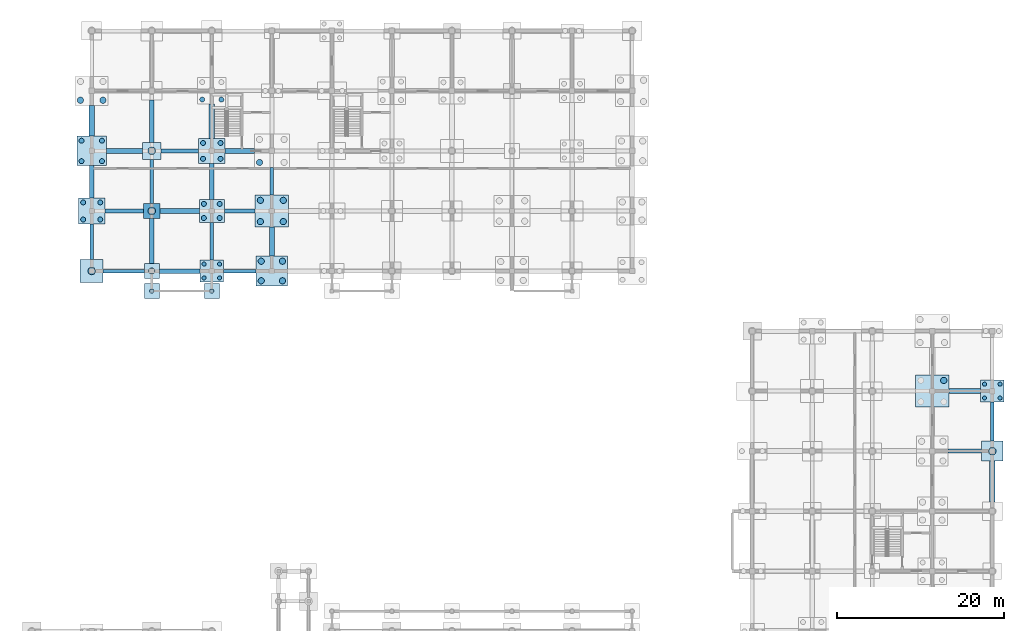
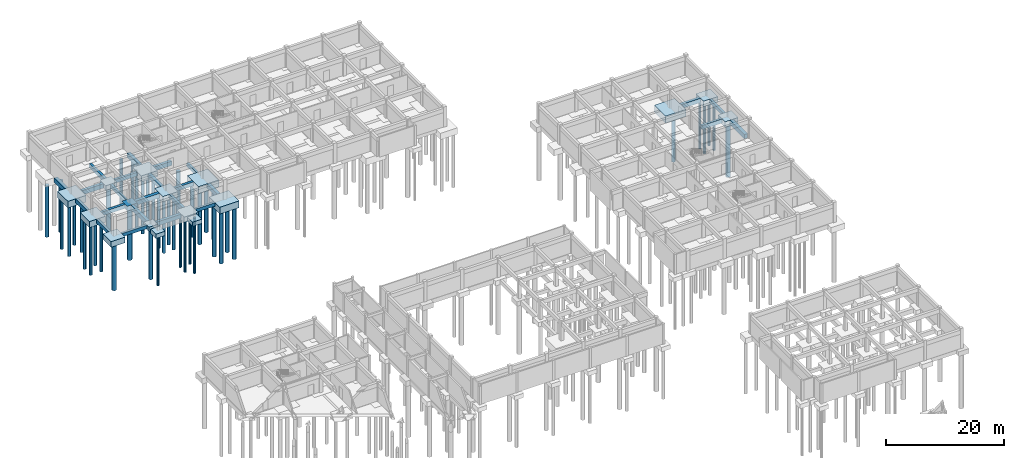
# One storey, part 13 of 38: 45 piles, 40 footings.
"""IFC4 building model written with IfcOpenShell, lengths in metres."""

import ifcopenshell
import ifcopenshell.guid

model = None  # the IFC model being written
_history = None  # IfcOwnerHistory: only IFC2X3 demands one
_inside = {}  # id of a spatial element -> (the spatial element, [elements in it])
_under = {}  # id of a project, library or spatial element -> (it, [spatial elements below it])
_declared = {}  # id of a project -> (the project, [libraries it declares])
_typed = {}  # id of a type object -> (the type object, [elements of that type])
_made_of = {}  # id of a material, layer set ... -> (it, [elements and type objects made of it])


def new_model(schema):
    """Start an empty IFC model of exactly this schema.

    Asked for "IFC4X3", IfcOpenShell would pick the latest addendum, in which some entities
    have other attributes; the version numbers below select the first issue.
    IFC2X3 requires an IfcOwnerHistory on every rooted entity: one is made here for all.
    """
    global model, _history
    if schema == "IFC4X3":
        model = ifcopenshell.file(schema_version=(4, 3, 0, 0))
    else:
        model = ifcopenshell.file(schema=schema)
    _inside.clear()
    _under.clear()
    _declared.clear()
    _typed.clear()
    _made_of.clear()
    _history = None
    if model.schema == "IFC2X3":
        org = make("IfcOrganization", Name="unknown")
        user = make(
            "IfcPersonAndOrganization",
            ThePerson=make("IfcPerson", FamilyName="unknown"),
            TheOrganization=org,
        )
        app = make(
            "IfcApplication",
            ApplicationDeveloper=org,
            Version="unknown",
            ApplicationFullName="unknown",
            ApplicationIdentifier="unknown",
        )
        _history = make(
            "IfcOwnerHistory",
            OwningUser=user,
            OwningApplication=app,
            ChangeAction="ADDED",
            CreationDate=0,
        )
    return model


def make(cls, **values):
    """One entity of the class cls with the attributes given. An attribute that is None is left unset."""
    return model.create_entity(
        cls, **{name: value for name, value in values.items() if value is not None}
    )


def rooted(cls, **values):
    """An entity with a GlobalId (a new one), such as an element, a storey or a relation."""
    return make(cls, GlobalId=ifcopenshell.guid.new(), OwnerHistory=_history, **values)


def si_unit(unit_type, name, prefix=None):
    """IfcSIUnit, for example si_unit("LENGTHUNIT", "METRE", prefix="MILLI")."""
    return make("IfcSIUnit", UnitType=unit_type, Prefix=prefix, Name=name)


def assignment(units):
    """IfcUnitAssignment: the units of a project."""
    return None if units is None else make("IfcUnitAssignment", Units=units)


def point(xyz):
    """IfcCartesianPoint."""
    return None if xyz is None else make("IfcCartesianPoint", Coordinates=xyz)


def direction(xyz):
    """IfcDirection."""
    return None if xyz is None else make("IfcDirection", DirectionRatios=xyz)


def frame(location, z_axis=None, x_axis=None):
    """IfcAxis2Placement3D, a coordinate frame: its origin and axes. An axis left out is left unset."""
    return make(
        "IfcAxis2Placement3D",
        Location=point(location),
        Axis=direction(z_axis),
        RefDirection=direction(x_axis),
    )


def frame_2d(location, x_axis=None):
    """IfcAxis2Placement2D, a coordinate frame in the plane: its origin and x axis."""
    return make(
        "IfcAxis2Placement2D", Location=point(location), RefDirection=direction(x_axis)
    )


def origin():
    """The frame at (0, 0, 0) with its axes left unset."""
    return frame((0.0, 0.0, 0.0))


def origin_2d():
    """The frame at (0, 0) in the plane with its x axis left unset."""
    return frame_2d((0.0, 0.0))


def place(relative_to, where):
    """IfcLocalPlacement: puts the frame where relative to a parent placement (None: the world)."""
    return make(
        "IfcLocalPlacement", PlacementRelTo=relative_to, RelativePlacement=where
    )


def context(
    kind, dimensions, precision=None, world=None, true_north=None, identifier=None
):
    """IfcGeometricRepresentationContext, for example the 3D "Model" context."""
    return make(
        "IfcGeometricRepresentationContext",
        ContextIdentifier=identifier,
        ContextType=kind,
        CoordinateSpaceDimension=dimensions,
        Precision=precision,
        WorldCoordinateSystem=world,
        TrueNorth=true_north,
    )


def subcontext(parent, identifier, kind, view, scale=None):
    """IfcGeometricRepresentationSubContext, for example "Body" below "Model"."""
    return make(
        "IfcGeometricRepresentationSubContext",
        ContextIdentifier=identifier,
        ContextType=kind,
        ParentContext=parent,
        TargetScale=scale,
        TargetView=view,
    )


def project(units=None, contexts=None):
    """IfcProject with its units and contexts."""
    return rooted(
        "IfcProject",
        Name="project",
        RepresentationContexts=contexts,
        UnitsInContext=assignment(units),
    )


def spatial(cls, under=None, at=None, **own):
    """A site, building, storey or space (cls), placed at a placement, below another one or the project."""
    s = rooted(cls, ObjectPlacement=at, **own)
    if under is not None:
        _under.setdefault(under.id(), (under, []))[1].append(s)
    return s


def polyline(points):
    """IfcPolyline through the points."""
    return make("IfcPolyline", Points=[point(p) for p in points])


def profile(cls, at=None, kind="AREA", **sizes):
    """A parametric profile (cls). Its sizes go by their IFC names, for example OverallWidth=200.0."""
    return make(cls, ProfileType=kind, Position=at, **sizes)


def rectangle(**sizes):
    """IfcRectangleProfileDef."""
    return profile("IfcRectangleProfileDef", **sizes)


def circle(**sizes):
    """IfcCircleProfileDef."""
    return profile("IfcCircleProfileDef", **sizes)


def outline(outer, holes=None, kind="AREA"):
    """IfcArbitraryClosedProfileDef: a profile drawn as a closed curve; with holes, ...WithVoids."""
    if holes is None:
        return make("IfcArbitraryClosedProfileDef", ProfileType=kind, OuterCurve=outer)
    return make(
        "IfcArbitraryProfileDefWithVoids",
        ProfileType=kind,
        OuterCurve=outer,
        InnerCurves=holes,
    )


def extrude(swept, where, along, depth):
    """IfcExtrudedAreaSolid: the profile swept, set in the frame where, extruded along a direction by depth."""
    return make(
        "IfcExtrudedAreaSolid",
        SweptArea=swept,
        Position=where,
        ExtrudedDirection=direction(along),
        Depth=depth,
    )


def shape(context_of_items, identifier, shape_type, items):
    """IfcShapeRepresentation: the items that make up one representation, for example the "Body"."""
    return make(
        "IfcShapeRepresentation",
        ContextOfItems=context_of_items,
        RepresentationIdentifier=identifier,
        RepresentationType=shape_type,
        Items=items,
    )


def material(Name=None, Category=None):
    """IfcMaterial."""
    return make("IfcMaterial", Name=Name, Category=Category)


def material_profile(
    of_material, cross_section, Name=None, Category=None, Priority=None
):
    """IfcMaterialProfile: a cross section and its material."""
    return make(
        "IfcMaterialProfile",
        Name=Name,
        Material=of_material,
        Profile=cross_section,
        Priority=Priority,
        Category=Category,
    )


def profile_set(profiles, Name=None, composite=None):
    """IfcMaterialProfileSet."""
    return make(
        "IfcMaterialProfileSet",
        Name=Name,
        MaterialProfiles=profiles,
        CompositeProfile=composite,
    )


def made_of(thing, what):
    """Note that an element or type object is made of a material, layer set ...; save() writes the relation."""
    if what is not None:
        _made_of.setdefault(what.id(), (what, []))[1].append(thing)
    return thing


def type_object(cls, material=None, **own):
    """A type object (cls), such as IfcWallType, which elements share."""
    return made_of(rooted(cls, **own), material)


def element(
    cls,
    number,
    at=None,
    inside=None,
    cuts=None,
    type_object=None,
    material=None,
    context=None,
    identifier="Body",
    shape_type=None,
    held_by="IfcProductDefinitionShape",
    body=None,
    shapes=None,
    **own,
):
    """One element of the class cls, such as IfcWall. Its Tag is "e" and its number.

    at: its placement. inside: the storey or other place that contains it. cuts: it is an
    opening in that element (IfcRelVoidsElement). A single representation is given by context,
    identifier, shape_type and body (its items); several are given by shapes. held_by: the class
    of the entity that holds the representations. save() writes the other relations.
    """
    e = rooted(cls, Tag="e%d" % number, ObjectPlacement=at, **own)
    if body is not None:
        shapes = [shape(context, identifier, shape_type, body)]
    if shapes is not None:
        e.Representation = make(held_by, Representations=shapes)
    if inside is not None:
        _inside.setdefault(inside.id(), (inside, []))[1].append(e)
    if cuts is not None:
        rooted(
            "IfcRelVoidsElement", RelatingBuildingElement=cuts, RelatedOpeningElement=e
        )
    if type_object is not None:
        _typed.setdefault(type_object.id(), (type_object, []))[1].append(e)
    return made_of(e, material)


def aggregate(whole, parts):
    """IfcRelAggregates: a whole, such as a stair, and the parts it consists of."""
    return rooted("IfcRelAggregates", RelatingObject=whole, RelatedObjects=parts)


def save(model, path):
    """Write the relations noted so far, then the file.

    IfcRelAggregates (storeys below a building ...), IfcRelContainedInSpatialStructure (elements
    in a storey), IfcRelDefinesByType, IfcRelAssociatesMaterial and IfcRelDeclares: one each for
    every whole, place, type object, material and project.
    """
    for whole, parts in _under.values():
        aggregate(whole, parts)
    for where, things in _inside.values():
        rooted(
            "IfcRelContainedInSpatialStructure",
            RelatedElements=things,
            RelatingStructure=where,
        )
    for kind, things in _typed.values():
        rooted("IfcRelDefinesByType", RelatedObjects=things, RelatingType=kind)
    for what, things in _made_of.values():
        rooted("IfcRelAssociatesMaterial", RelatedObjects=things, RelatingMaterial=what)
    for by, libraries in _declared.values():
        rooted("IfcRelDeclares", RelatingContext=by, RelatedDefinitions=libraries)
    model.write(path)


model = new_model("IFC4")

# Units and contexts
model_context = context("Model", 3, precision=1e-05, world=origin(), true_north=direction((0.0, 1.0)))
body_context = subcontext(model_context, "Body", "Model", "MODEL_VIEW")
ifc_project = project(units=[si_unit("LENGTHUNIT", "METRE"), si_unit("AREAUNIT", "SQUARE_METRE"), si_unit("VOLUMEUNIT", "CUBIC_METRE"), si_unit("PLANEANGLEUNIT", "RADIAN"), si_unit("MASSUNIT", "GRAM", prefix="KILO"), si_unit("THERMODYNAMICTEMPERATUREUNIT", "KELVIN"), si_unit("POWERUNIT", "WATT")], contexts=[model_context])

# Site, building, storey
site_placement = place(None, origin())
site = spatial("IfcSite", under=ifc_project, at=site_placement, CompositionType="ELEMENT")
building_placement = place(site_placement, origin())
building = spatial("IfcBuilding", under=site, at=building_placement, Name="Tavuni Mirador Residences", CompositionType="ELEMENT")
storey_placement = place(building_placement, frame((0.0, 0.0, -4.199951171875)))
storey = spatial("IfcBuildingStorey", under=building, at=storey_placement, Name="B1", CompositionType="ELEMENT", Elevation=-4.199951171875)

# Footings
ifc_material = material(Name="In-situ concrete C35/45", Category="concrete")
footing_type_1 = type_object("IfcFootingType", Name="FT-GB01", PredefinedType="FOOTING_BEAM", material=ifc_material)
footing_1_placement = place(storey_placement, frame((0.0, 0.0, -0.719970703125)))
element("IfcFooting", 1, at=footing_1_placement, inside=storey, type_object=footing_type_1, Name="GBX-BLK-C-00-00", PredefinedType="FOOTING_BEAM", context=body_context, shape_type="SweptSolid", body=[
    extrude(outline(polyline([(12.175048828125, 143.7900390625), (17.10009765625, 143.7900390625), (17.10009765625, 144.2099609375), (12.175048828125, 144.2099609375), (12.175048828125, 143.7900390625)])), origin(), (0.0, 0.0, 1.0), 0.719970703125),
])
footing_2_placement = place(storey_placement, frame((0.0, 0.0, -0.719970703125)))
element("IfcFooting", 2, at=footing_2_placement, inside=storey, type_object=footing_type_1, Name="GBY-BLK-C-01-01", PredefinedType="FOOTING_BEAM", context=body_context, shape_type="SweptSolid", body=[
    extrude(outline(polyline([(17.7900390625, 152.10009765625), (18.2099609375, 152.10009765625), (18.2099609375, 157.39990234375), (17.7900390625, 157.39990234375), (17.7900390625, 152.10009765625)])), origin(), (0.0, 0.0, 1.0), 0.719970703125),
])
footing_3_placement = place(storey_placement, frame((0.0, 0.0, -0.719970703125)))
element("IfcFooting", 3, at=footing_3_placement, inside=storey, type_object=footing_type_1, Name="GBX-BLK-C-02-00", PredefinedType="FOOTING_BEAM", context=body_context, shape_type="SweptSolid", body=[
    extrude(outline(polyline([(26.60009765625, 143.7900390625), (30.5, 143.7900390625), (30.5, 144.2099609375), (26.60009765625, 144.2099609375), (26.60009765625, 143.7900390625)])), origin(), (0.0, 0.0, 1.0), 0.719970703125),
])
footing_4_placement = place(storey_placement, frame((0.0, 0.0, -0.719970703125)))
element("IfcFooting", 4, at=footing_4_placement, inside=storey, type_object=footing_type_1, Name="GBY-BLK-C-03-01", PredefinedType="FOOTING_BEAM", context=body_context, shape_type="SweptSolid", body=[
    extrude(outline(polyline([(32.18994140625, 153.10009765625), (32.610107421875, 153.10009765625), (32.610107421875, 156.39990234375), (32.18994140625, 156.39990234375), (32.18994140625, 153.10009765625)])), origin(), (0.0, 0.0, 1.0), 0.719970703125),
])
footing_5_placement = place(storey_placement, frame((0.0, 0.0, -0.719970703125)))
element("IfcFooting", 5, at=footing_5_placement, inside=storey, type_object=footing_type_1, Name="GBY-BLK-D-04-05", PredefinedType="FOOTING_BEAM", context=body_context, shape_type="SweptSolid", body=[
    extrude(outline(polyline([(118.590087890625, 123.60009765625), (119.010009765625, 123.60009765625), (119.010009765625, 128.300048828125), (118.590087890625, 128.300048828125), (118.590087890625, 123.60009765625)])), origin(), (0.0, 0.0, 1.0), 0.719970703125),
])
footing_type_2 = type_object("IfcFootingType", Name="FT-GB02", PredefinedType="FOOTING_BEAM", material=ifc_material)
footing_6_placement = place(storey_placement, frame((0.0, 0.0, -0.760009765625)))
element("IfcFooting", 6, at=footing_6_placement, inside=storey, type_object=footing_type_2, Name="GBY-BLK-C-00-00", PredefinedType="FOOTING_BEAM", context=body_context, shape_type="SweptSolid", body=[
    extrude(outline(polyline([(10.570068359375, 145.375), (11.030029296875, 145.375), (11.030029296875, 149.625), (10.570068359375, 149.625), (10.570068359375, 145.375)])), origin(), (0.0, 0.0, 1.0), 0.760009765625),
])
footing_7_placement = place(storey_placement, frame((0.0, 0.0, -0.760009765625)))
element("IfcFooting", 7, at=footing_7_placement, inside=storey, type_object=footing_type_2, Name="GBX-BLK-C-01-02", PredefinedType="FOOTING_BEAM", context=body_context, shape_type="SweptSolid", body=[
    extrude(outline(polyline([(19.10009765625, 158.169921875), (23.60009765625, 158.169921875), (23.60009765625, 158.6298828125), (19.10009765625, 158.6298828125), (19.10009765625, 158.169921875)])), origin(), (0.0, 0.0, 1.0), 0.760009765625),
])
footing_8_placement = place(storey_placement, frame((0.0, 0.0, -0.760009765625)))
element("IfcFooting", 8, at=footing_8_placement, inside=storey, type_object=footing_type_2, Name="GBY-BLK-C-02-00", PredefinedType="FOOTING_BEAM", context=body_context, shape_type="SweptSolid", body=[
    extrude(outline(polyline([(24.969970703125, 145.300048828125), (25.429931640625, 145.300048828125), (25.429931640625, 149.800048828125), (24.969970703125, 149.800048828125), (24.969970703125, 145.300048828125)])), origin(), (0.0, 0.0, 1.0), 0.760009765625),
])
footing_type_3 = type_object("IfcFootingType", Name="FT-GB03", PredefinedType="FOOTING_BEAM", material=ifc_material)
footing_9_placement = place(storey_placement, frame((0.0, 0.0, -0.800048828125)))
element("IfcFooting", 9, at=footing_9_placement, inside=storey, type_object=footing_type_3, Name="GBX-BLK-C-00-01", PredefinedType="FOOTING_BEAM", context=body_context, shape_type="SweptSolid", body=[
    extrude(outline(polyline([(12.375, 150.949951171875), (17.0, 150.949951171875), (17.0, 151.449951171875), (12.375, 151.449951171875), (12.375, 150.949951171875)])), origin(), (0.0, 0.0, 1.0), 0.800048828125),
])
footing_10_placement = place(storey_placement, frame((0.0, 0.0, -0.800048828125)))
element("IfcFooting", 10, at=footing_10_placement, inside=storey, type_object=footing_type_3, Name="GBY-BLK-C-01-02", PredefinedType="FOOTING_BEAM", context=body_context, shape_type="SweptSolid", body=[
    extrude(outline(polyline([(17.75, 159.39990234375), (18.25, 159.39990234375), (18.25, 164.5), (17.75, 164.5), (17.75, 159.39990234375)])), origin(), (0.0, 0.0, 1.0), 0.800048828125),
])
footing_11_placement = place(storey_placement, frame((0.0, 0.0, -0.800048828125)))
element("IfcFooting", 11, at=footing_11_placement, inside=storey, type_object=footing_type_3, Name="GBX-BLK-C-02-01", PredefinedType="FOOTING_BEAM", context=body_context, shape_type="SweptSolid", body=[
    extrude(outline(polyline([(26.699951171875, 150.949951171875), (30.39990234375, 150.949951171875), (30.39990234375, 151.449951171875), (26.699951171875, 151.449951171875), (26.699951171875, 150.949951171875)])), origin(), (0.0, 0.0, 1.0), 0.800048828125),
])
footing_12_placement = place(storey_placement, frame((0.0, 0.0, -0.800048828125)))
element("IfcFooting", 12, at=footing_12_placement, inside=storey, type_object=footing_type_3, Name="GBX-BLK-D-03-05", PredefinedType="FOOTING_BEAM", context=body_context, shape_type="SweptSolid", body=[
    extrude(outline(polyline([(113.5, 122.14990234375), (117.5, 122.14990234375), (117.5, 122.64990234375), (113.5, 122.64990234375), (113.5, 122.14990234375)])), origin(), (0.0, 0.0, 1.0), 0.800048828125),
])
footing_type_4 = type_object("IfcFootingType", Name="FT-GB04", PredefinedType="FOOTING_BEAM", material=ifc_material)
footing_13_placement = place(storey_placement, frame((0.0, 0.0, -0.840087890625)))
element("IfcFooting", 13, at=footing_13_placement, inside=storey, type_object=footing_type_4, Name="GBY-BLK-C-00-01", PredefinedType="FOOTING_BEAM", context=body_context, shape_type="SweptSolid", body=[
    extrude(outline(polyline([(10.530029296875, 152.77490234375), (11.070068359375, 152.77490234375), (11.070068359375, 156.625), (10.530029296875, 156.625), (10.530029296875, 152.77490234375)])), origin(), (0.0, 0.0, 1.0), 0.840087890625),
])
footing_14_placement = place(storey_placement, frame((0.0, 0.0, -0.840087890625)))
element("IfcFooting", 14, at=footing_14_placement, inside=storey, type_object=footing_type_4, Name="GBX-BLK-C-01-00", PredefinedType="FOOTING_BEAM", context=body_context, shape_type="SweptSolid", body=[
    extrude(outline(polyline([(18.89990234375, 143.72998046875), (23.800048828125, 143.72998046875), (23.800048828125, 144.27001953125), (18.89990234375, 144.27001953125), (18.89990234375, 143.72998046875)])), origin(), (0.0, 0.0, 1.0), 0.840087890625),
])
footing_15_placement = place(storey_placement, frame((0.0, 0.0, -0.840087890625)))
element("IfcFooting", 15, at=footing_15_placement, inside=storey, type_object=footing_type_4, Name="GBY-BLK-C-02-01", PredefinedType="FOOTING_BEAM", context=body_context, shape_type="SweptSolid", body=[
    extrude(outline(polyline([(24.929931640625, 152.60009765625), (25.469970703125, 152.60009765625), (25.469970703125, 156.89990234375), (24.929931640625, 156.89990234375), (24.929931640625, 152.60009765625)])), origin(), (0.0, 0.0, 1.0), 0.840087890625),
])
footing_type_5 = type_object("IfcFootingType", Name="FT-GB05", PredefinedType="FOOTING_BEAM", material=ifc_material)
footing_16_placement = place(storey_placement, frame((0.0, 0.0, -0.880126953125)))
element("IfcFooting", 16, at=footing_16_placement, inside=storey, type_object=footing_type_5, Name="GBX-BLK-C-00-02", PredefinedType="FOOTING_BEAM", context=body_context, shape_type="SweptSolid", body=[
    extrude(outline(polyline([(12.574951171875, 158.110107421875), (16.89990234375, 158.110107421875), (16.89990234375, 158.68994140625), (12.574951171875, 158.68994140625), (12.574951171875, 158.110107421875)])), origin(), (0.0, 0.0, 1.0), 0.880126953125),
])
footing_17_placement = place(storey_placement, frame((0.0, 0.0, -0.880126953125)))
element("IfcFooting", 17, at=footing_17_placement, inside=storey, type_object=footing_type_5, Name="GBY-BLK-C-01-00", PredefinedType="FOOTING_BEAM", context=body_context, shape_type="SweptSolid", body=[
    extrude(outline(polyline([(17.7099609375, 144.89990234375), (18.2900390625, 144.89990234375), (18.2900390625, 150.300048828125), (17.7099609375, 150.300048828125), (17.7099609375, 144.89990234375)])), origin(), (0.0, 0.0, 1.0), 0.880126953125),
])
footing_18_placement = place(storey_placement, frame((0.0, 0.0, -0.880126953125)))
element("IfcFooting", 18, at=footing_18_placement, inside=storey, type_object=footing_type_5, Name="GBX-BLK-C-02-02", PredefinedType="FOOTING_BEAM", context=body_context, shape_type="SweptSolid", body=[
    extrude(outline(polyline([(26.800048828125, 158.110107421875), (30.300048828125, 158.110107421875), (30.300048828125, 158.68994140625), (26.800048828125, 158.68994140625), (26.800048828125, 158.110107421875)])), origin(), (0.0, 0.0, 1.0), 0.880126953125),
])
footing_19_placement = place(storey_placement, frame((0.0, 0.0, -0.880126953125)))
element("IfcFooting", 19, at=footing_19_placement, inside=storey, type_object=footing_type_5, Name="GBY-BLK-C-03-00", PredefinedType="FOOTING_BEAM", context=body_context, shape_type="SweptSolid", body=[
    extrude(outline(polyline([(32.110107421875, 145.800048828125), (32.68994140625, 145.800048828125), (32.68994140625, 149.300048828125), (32.110107421875, 149.300048828125), (32.110107421875, 145.800048828125)])), origin(), (0.0, 0.0, 1.0), 0.880126953125),
])
footing_20_placement = place(storey_placement, frame((0.0, 0.0, -0.880126953125)))
element("IfcFooting", 20, at=footing_20_placement, inside=storey, type_object=footing_type_5, Name="GBX-BLK-D-03-06", PredefinedType="FOOTING_BEAM", context=body_context, shape_type="SweptSolid", body=[
    extrude(outline(polyline([(113.60009765625, 129.31005859375), (117.39990234375, 129.31005859375), (117.39990234375, 129.889892578125), (113.60009765625, 129.889892578125), (113.60009765625, 129.31005859375)])), origin(), (0.0, 0.0, 1.0), 0.880126953125),
])
footing_type_6 = type_object("IfcFootingType", Name="FT-GB06", PredefinedType="FOOTING_BEAM", material=ifc_material)
footing_21_placement = place(storey_placement, frame((0.0, 0.0, -0.920166015625)))
element("IfcFooting", 21, at=footing_21_placement, inside=storey, type_object=footing_type_6, Name="GBY-BLK-C-00-02", PredefinedType="FOOTING_BEAM", context=body_context, shape_type="SweptSolid", body=[
    extrude(outline(polyline([(10.489990234375, 160.175048828125), (11.110107421875, 160.175048828125), (11.110107421875, 163.85009765625), (10.489990234375, 163.85009765625), (10.489990234375, 160.175048828125)])), origin(), (0.0, 0.0, 1.0), 0.920166015625),
])
footing_22_placement = place(storey_placement, frame((0.0, 0.0, -0.920166015625)))
element("IfcFooting", 22, at=footing_22_placement, inside=storey, type_object=footing_type_6, Name="GBX-BLK-C-01-01", PredefinedType="FOOTING_BEAM", context=body_context, shape_type="SweptSolid", body=[
    extrude(outline(polyline([(19.0, 150.889892578125), (23.699951171875, 150.889892578125), (23.699951171875, 151.510009765625), (19.0, 151.510009765625), (19.0, 150.889892578125)])), origin(), (0.0, 0.0, 1.0), 0.920166015625),
])
footing_23_placement = place(storey_placement, frame((0.0, 0.0, -0.920166015625)))
element("IfcFooting", 23, at=footing_23_placement, inside=storey, type_object=footing_type_6, Name="GBY-BLK-C-02-02", PredefinedType="FOOTING_BEAM", context=body_context, shape_type="SweptSolid", body=[
    extrude(outline(polyline([(24.889892578125, 159.89990234375), (25.510009765625, 159.89990234375), (25.510009765625, 164.0), (24.889892578125, 164.0), (24.889892578125, 159.89990234375)])), origin(), (0.0, 0.0, 1.0), 0.920166015625),
])
footing_24_placement = place(storey_placement, frame((0.0, 0.0, -0.920166015625)))
element("IfcFooting", 24, at=footing_24_placement, inside=storey, type_object=footing_type_6, Name="GBY-BLK-D-04-04", PredefinedType="FOOTING_BEAM", context=body_context, shape_type="SweptSolid", body=[
    extrude(outline(polyline([(118.489990234375, 116.300048828125), (119.110107421875, 116.300048828125), (119.110107421875, 121.199951171875), (118.489990234375, 121.199951171875), (118.489990234375, 116.300048828125)])), origin(), (0.0, 0.0, 1.0), 0.920166015625),
])
footing_type_7 = type_object("IfcFootingType", Name="FT-PC01", PredefinedType="PILE_CAP", material=ifc_material)
for number, where, z_axis, x_axis, name in (
    (25, (18.0, 144.0, -0.89990234375), (0.0, 0.0, 1.0), (1.0, 0.0, 0.0), "CAP-BLK-C-01-00"),
    (26, (18.0, 141.60009765625, -0.89990234375), (0.0, 0.0, 1.0), (1.0, 0.0, 0.0), "CAP-APR-BLKC-S1-0"),
    (27, (25.199951171875, 141.60009765625, -0.89990234375), (0.0, 0.0, 1.0), (1.0, 0.0, 0.0), "CAP-APR-BLKC-S1-1"),
):
    element("IfcFooting", number, at=place(storey_placement, frame(where, z_axis=z_axis, x_axis=x_axis)), inside=storey, type_object=footing_type_7, Name=name, PredefinedType="PILE_CAP", context=body_context, shape_type="SweptSolid", body=[
        extrude(rectangle(XDim=1.800048828125, YDim=1.800048828125, at=origin_2d()), origin(), (0.0, 0.0, 1.0), 0.89990234375),
    ])
footing_type_8 = type_object("IfcFootingType", Name="FT-PC02", PredefinedType="PILE_CAP", material=ifc_material)
footing_25_placement = place(storey_placement, frame((18.0, 151.199951171875, -0.9501953125), z_axis=(0.0, 0.0, 1.0), x_axis=(1.0, 0.0, 0.0)))
element("IfcFooting", 28, at=footing_25_placement, inside=storey, type_object=footing_type_8, Name="CAP-BLK-C-01-01", PredefinedType="PILE_CAP", context=body_context, shape_type="SweptSolid", body=[
    extrude(rectangle(XDim=2.0, YDim=1.800048828125, at=origin_2d()), origin(), (0.0, 0.0, 1.0), 0.949951171875),
])
footing_type_9 = type_object("IfcFootingType", Name="FT-PC03", PredefinedType="PILE_CAP", material=ifc_material)
footing_26_placement = place(storey_placement, frame((18.0, 158.39990234375, -1.0), z_axis=(0.0, 0.0, 1.0), x_axis=(1.0, 0.0, 0.0)))
element("IfcFooting", 29, at=footing_26_placement, inside=storey, type_object=footing_type_9, Name="CAP-BLK-C-01-02", PredefinedType="PILE_CAP", context=body_context, shape_type="SweptSolid", body=[
    extrude(rectangle(XDim=2.199951171875, YDim=2.0, at=origin_2d()), origin(), (0.0, 0.0, 1.0), 1.0),
])
footing_type_10 = type_object("IfcFootingType", Name="FT-PC05", PredefinedType="PILE_CAP", material=ifc_material)
footing_27_placement = place(storey_placement, frame((118.800048828125, 122.39990234375, -1.10009765625), z_axis=(0.0, 0.0, 1.0), x_axis=(1.0, 0.0, 0.0)))
element("IfcFooting", 30, at=footing_27_placement, inside=storey, type_object=footing_type_10, Name="CAP-BLK-D-04-05", PredefinedType="PILE_CAP", context=body_context, shape_type="SweptSolid", body=[
    extrude(rectangle(XDim=2.60009765625, YDim=2.39990234375, at=origin_2d()), origin(), (0.0, 0.0, 1.0), 1.10009765625),
])
footing_type_11 = type_object("IfcFootingType", Name="FT-PC06", PredefinedType="PILE_CAP", material=ifc_material)
for number, where, z_axis, x_axis, name in (
    (31, (25.199951171875, 144.0, -1.14990234375), (0.0, 0.0, 1.0), (1.0, 0.0, 0.0), "CAP-BLK-C-02-00"),
    (32, (118.800048828125, 129.60009765625, -1.14990234375), (0.0, 0.0, 1.0), (1.0, 0.0, 0.0), "CAP-BLK-D-04-06"),
):
    element("IfcFooting", number, at=place(storey_placement, frame(where, z_axis=z_axis, x_axis=x_axis)), inside=storey, type_object=footing_type_11, Name=name, PredefinedType="PILE_CAP", context=body_context, shape_type="SweptSolid", body=[
        extrude(rectangle(XDim=2.800048828125, YDim=2.60009765625, at=origin_2d()), origin(), (0.0, 0.0, 1.0), 1.14990234375),
    ])
footing_type_12 = type_object("IfcFootingType", Name="FT-PC07", PredefinedType="PILE_CAP", material=ifc_material)
footing_28_placement = place(storey_placement, frame((25.199951171875, 151.199951171875, -1.2001953125), z_axis=(0.0, 0.0, 1.0), x_axis=(1.0, 0.0, 0.0)))
element("IfcFooting", 33, at=footing_28_placement, inside=storey, type_object=footing_type_12, Name="CAP-BLK-C-02-01", PredefinedType="PILE_CAP", context=body_context, shape_type="SweptSolid", body=[
    extrude(rectangle(XDim=3.0, YDim=2.800048828125, at=origin_2d()), origin(), (0.0, 0.0, 1.0), 1.199951171875),
])
footing_type_13 = type_object("IfcFootingType", Name="FT-PC08", PredefinedType="PILE_CAP", material=ifc_material)
footing_29_placement = place(storey_placement, frame((25.199951171875, 158.39990234375, -1.25), z_axis=(0.0, 0.0, 1.0), x_axis=(1.0, 0.0, 0.0)))
element("IfcFooting", 34, at=footing_29_placement, inside=storey, type_object=footing_type_13, Name="CAP-BLK-C-02-02", PredefinedType="PILE_CAP", context=body_context, shape_type="SweptSolid", body=[
    extrude(rectangle(XDim=3.199951171875, YDim=3.0, at=origin_2d()), origin(), (0.0, 0.0, 1.0), 1.25),
])
footing_type_14 = type_object("IfcFootingType", Name="FT-PC11", PredefinedType="PILE_CAP", material=ifc_material)
footing_30_placement = place(storey_placement, frame((32.39990234375, 144.0, -1.39990234375), z_axis=(0.0, 0.0, 1.0), x_axis=(1.0, 0.0, 0.0)))
element("IfcFooting", 35, at=footing_30_placement, inside=storey, type_object=footing_type_14, Name="CAP-BLK-C-03-00", PredefinedType="PILE_CAP", context=body_context, shape_type="SweptSolid", body=[
    extrude(rectangle(XDim=3.800048828125, YDim=3.60009765625, at=origin_2d()), origin(), (0.0, 0.0, 1.0), 1.39990234375),
])
footing_type_15 = type_object("IfcFootingType", Name="FT-PC12", PredefinedType="PILE_CAP", material=ifc_material)
for number, where, z_axis, x_axis, name in (
    (36, (32.39990234375, 151.199951171875, -1.4501953125), (0.0, 0.0, 1.0), (1.0, 0.0, 0.0), "CAP-BLK-C-03-01"),
    (37, (111.60009765625, 129.60009765625, -1.4501953125), (0.0, 0.0, 1.0), (1.0, 0.0, 0.0), "CAP-BLK-D-03-06"),
):
    element("IfcFooting", number, at=place(storey_placement, frame(where, z_axis=z_axis, x_axis=x_axis)), inside=storey, type_object=footing_type_15, Name=name, PredefinedType="PILE_CAP", context=body_context, shape_type="SweptSolid", body=[
        extrude(rectangle(XDim=4.0, YDim=3.800048828125, at=origin_2d()), origin(), (0.0, 0.0, 1.0), 1.449951171875),
    ])
footing_type_16 = type_object("IfcFootingType", Name="FT-PC28", PredefinedType="PILE_CAP", material=ifc_material)
footing_31_placement = place(storey_placement, frame((10.800048828125, 144.0, -1.18017578125), z_axis=(0.0, 0.0, 1.0), x_axis=(1.0, 0.0, 0.0)))
element("IfcFooting", 38, at=footing_31_placement, inside=storey, type_object=footing_type_16, Name="CAP-BLK-C-00-00", PredefinedType="PILE_CAP", context=body_context, shape_type="SweptSolid", body=[
    extrude(rectangle(XDim=2.75, YDim=2.75, at=origin_2d()), origin(), (0.0, 0.0, 1.0), 1.179931640625),
])
footing_type_17 = type_object("IfcFootingType", Name="FT-PC29", PredefinedType="PILE_CAP", material=ifc_material)
footing_32_placement = place(storey_placement, frame((10.800048828125, 151.199951171875, -1.2802734375), z_axis=(0.0, 0.0, 1.0), x_axis=(1.0, 0.0, 0.0)))
element("IfcFooting", 39, at=footing_32_placement, inside=storey, type_object=footing_type_17, Name="CAP-BLK-C-00-01", PredefinedType="PILE_CAP", context=body_context, shape_type="SweptSolid", body=[
    extrude(rectangle(XDim=3.14990234375, YDim=3.14990234375, at=origin_2d()), origin(), (0.0, 0.0, 1.0), 1.280029296875),
])
footing_type_18 = type_object("IfcFootingType", Name="FT-PC30", PredefinedType="PILE_CAP", material=ifc_material)
footing_33_placement = place(storey_placement, frame((10.800048828125, 158.39990234375, -1.3798828125), z_axis=(0.0, 0.0, 1.0), x_axis=(1.0, 0.0, 0.0)))
element("IfcFooting", 40, at=footing_33_placement, inside=storey, type_object=footing_type_18, Name="CAP-BLK-C-00-02", PredefinedType="PILE_CAP", context=body_context, shape_type="SweptSolid", body=[
    extrude(rectangle(XDim=3.550048828125, YDim=3.550048828125, at=origin_2d()), origin(), (0.0, 0.0, 1.0), 1.3798828125),
])

# Piles
ifc_material_profile_1 = material_profile(ifc_material, circle(Radius=0.25, at=origin_2d()), Name="PILE D500", Category="concrete")
ifc_profile_set_1 = profile_set([ifc_material_profile_1], Name="In-situ concrete C35/45")
pile_type_1 = type_object("IfcPileType", Name="PT-D500", PredefinedType="BORED", material=ifc_profile_set_1)
for number, where, z_axis, x_axis, name in (
    (41, (24.27001953125, 143.169921875, -1.150146484375), (0.0, 0.0, -1.0), (1.0, 0.0, 0.0), "PIL-BLK-C-02-00-1"),
    (42, (26.1298828125, 143.169921875, -1.150146484375), (0.0, 0.0, -1.0), (1.0, 0.0, 0.0), "PIL-BLK-C-02-00-2"),
    (43, (24.27001953125, 144.830078125, -1.150146484375), (0.0, 0.0, -1.0), (1.0, 0.0, 0.0), "PIL-BLK-C-02-00-3"),
    (44, (26.1298828125, 144.830078125, -1.150146484375), (0.0, 0.0, -1.0), (1.0, 0.0, 0.0), "PIL-BLK-C-02-00-4"),
):
    element("IfcPile", number, at=place(storey_placement, frame(where, z_axis=z_axis, x_axis=x_axis)), inside=storey, type_object=pile_type_1, Name=name, PredefinedType="BORED", context=body_context, shape_type="SweptSolid", body=[
        extrude(circle(Radius=0.25, at=origin_2d()), origin(), (0.0, 0.0, 1.0), 10.64990234375),
    ])
for number, where, z_axis, x_axis, name in (
    (45, (117.8701171875, 128.77001953125, -1.150146484375), (0.0, 0.0, -1.0), (1.0, 0.0, 0.0), "PIL-BLK-D-04-06-1"),
    (46, (119.72998046875, 128.77001953125, -1.150146484375), (0.0, 0.0, -1.0), (1.0, 0.0, 0.0), "PIL-BLK-D-04-06-2"),
    (47, (117.8701171875, 130.429931640625, -1.150146484375), (0.0, 0.0, -1.0), (1.0, 0.0, 0.0), "PIL-BLK-D-04-06-3"),
    (48, (119.72998046875, 130.429931640625, -1.150146484375), (0.0, 0.0, -1.0), (1.0, 0.0, 0.0), "PIL-BLK-D-04-06-4"),
):
    element("IfcPile", number, at=place(storey_placement, frame(where, z_axis=z_axis, x_axis=x_axis)), inside=storey, type_object=pile_type_1, Name=name, PredefinedType="BORED", context=body_context, shape_type="SweptSolid", body=[
        extrude(circle(Radius=0.25, at=origin_2d()), origin(), (0.0, 0.0, 1.0), 10.050048828125),
    ])
for number, where, z_axis, x_axis, name in (
    (49, (18.0, 141.60009765625, -0.800048828125), (0.0, 0.0, -1.0), (1.0, 0.0, 0.0), "PIL-APR-BLKC-S1-0"),
    (50, (25.199951171875, 141.60009765625, -0.800048828125), (0.0, 0.0, -1.0), (1.0, 0.0, 0.0), "PIL-APR-BLKC-S1-1"),
):
    element("IfcPile", number, at=place(storey_placement, frame(where, z_axis=z_axis, x_axis=x_axis)), inside=storey, type_object=pile_type_1, Name=name, PredefinedType="BORED", context=body_context, shape_type="SweptSolid", body=[
        extrude(circle(Radius=0.25, at=origin_2d()), origin(), (0.0, 0.0, 1.0), 10.60009765625),
    ])
ifc_material_profile_2 = material_profile(ifc_material, circle(Radius=0.300048828125, at=origin_2d()), Name="PILE D600", Category="concrete")
ifc_profile_set_2 = profile_set([ifc_material_profile_2], Name="In-situ concrete C35/45")
pile_type_2 = type_object("IfcPileType", Name="PT-D600", PredefinedType="BORED", material=ifc_profile_set_2)
for number, where, z_axis, x_axis, name in (
    (51, (9.77490234375, 150.175048828125, -1.280029296875), (0.0, 0.0, -1.0), (1.0, 0.0, 0.0), "PIL-BLK-C-00-01-1"),
    (52, (11.824951171875, 150.175048828125, -1.280029296875), (0.0, 0.0, -1.0), (1.0, 0.0, 0.0), "PIL-BLK-C-00-01-2"),
    (53, (9.77490234375, 152.22509765625, -1.280029296875), (0.0, 0.0, -1.0), (1.0, 0.0, 0.0), "PIL-BLK-C-00-01-3"),
    (54, (11.824951171875, 152.22509765625, -1.280029296875), (0.0, 0.0, -1.0), (1.0, 0.0, 0.0), "PIL-BLK-C-00-01-4"),
):
    element("IfcPile", number, at=place(storey_placement, frame(where, z_axis=z_axis, x_axis=x_axis)), inside=storey, type_object=pile_type_2, Name=name, PredefinedType="BORED", context=body_context, shape_type="SweptSolid", body=[
        extrude(circle(Radius=0.300048828125, at=origin_2d()), origin(), (0.0, 0.0, 1.0), 10.219970703125),
    ])
for number, where, z_axis, x_axis, name in (
    (55, (9.574951171875, 157.175048828125, -1.380126953125), (0.0, 0.0, -1.0), (1.0, 0.0, 0.0), "PIL-BLK-C-00-02-1"),
    (56, (12.02490234375, 157.175048828125, -1.380126953125), (0.0, 0.0, -1.0), (1.0, 0.0, 0.0), "PIL-BLK-C-00-02-2"),
    (57, (9.574951171875, 159.625, -1.380126953125), (0.0, 0.0, -1.0), (1.0, 0.0, 0.0), "PIL-BLK-C-00-02-3"),
    (58, (12.02490234375, 159.625, -1.380126953125), (0.0, 0.0, -1.0), (1.0, 0.0, 0.0), "PIL-BLK-C-00-02-4"),
):
    element("IfcPile", number, at=place(storey_placement, frame(where, z_axis=z_axis, x_axis=x_axis)), inside=storey, type_object=pile_type_2, Name=name, PredefinedType="BORED", context=body_context, shape_type="SweptSolid", body=[
        extrude(circle(Radius=0.300048828125, at=origin_2d()), origin(), (0.0, 0.0, 1.0), 10.419921875),
    ])
for number, where, z_axis, x_axis, name in (
    (59, (24.25, 150.35009765625, -1.199951171875), (0.0, 0.0, -1.0), (1.0, 0.0, 0.0), "PIL-BLK-C-02-01-1"),
    (60, (26.14990234375, 150.35009765625, -1.199951171875), (0.0, 0.0, -1.0), (1.0, 0.0, 0.0), "PIL-BLK-C-02-01-2"),
    (61, (24.25, 152.050048828125, -1.199951171875), (0.0, 0.0, -1.0), (1.0, 0.0, 0.0), "PIL-BLK-C-02-01-3"),
    (62, (26.14990234375, 152.050048828125, -1.199951171875), (0.0, 0.0, -1.0), (1.0, 0.0, 0.0), "PIL-BLK-C-02-01-4"),
):
    element("IfcPile", number, at=place(storey_placement, frame(where, z_axis=z_axis, x_axis=x_axis)), inside=storey, type_object=pile_type_2, Name=name, PredefinedType="BORED", context=body_context, shape_type="SweptSolid", body=[
        extrude(circle(Radius=0.300048828125, at=origin_2d()), origin(), (0.0, 0.0, 1.0), 10.89990234375),
    ])
for number, where, z_axis, x_axis, name in (
    (63, (24.14990234375, 157.449951171875, -1.25), (0.0, 0.0, -1.0), (1.0, 0.0, 0.0), "PIL-BLK-C-02-02-1"),
    (64, (26.25, 157.449951171875, -1.25), (0.0, 0.0, -1.0), (1.0, 0.0, 0.0), "PIL-BLK-C-02-02-2"),
    (65, (24.14990234375, 159.35009765625, -1.25), (0.0, 0.0, -1.0), (1.0, 0.0, 0.0), "PIL-BLK-C-02-02-3"),
    (66, (26.25, 159.35009765625, -1.25), (0.0, 0.0, -1.0), (1.0, 0.0, 0.0), "PIL-BLK-C-02-02-4"),
):
    element("IfcPile", number, at=place(storey_placement, frame(where, z_axis=z_axis, x_axis=x_axis)), inside=storey, type_object=pile_type_2, Name=name, PredefinedType="BORED", context=body_context, shape_type="SweptSolid", body=[
        extrude(circle(Radius=0.300048828125, at=origin_2d()), origin(), (0.0, 0.0, 1.0), 11.14990234375),
    ])
for number, where, z_axis, x_axis, name in (
    (67, (24.050048828125, 164.550048828125, -1.300048828125), (0.0, 0.0, -1.0), (1.0, 0.0, 0.0), "PIL-BLK-C-02-03-1"),
    (68, (26.35009765625, 164.550048828125, -1.300048828125), (0.0, 0.0, -1.0), (1.0, 0.0, 0.0), "PIL-BLK-C-02-03-2"),
):
    element("IfcPile", number, at=place(storey_placement, frame(where, z_axis=z_axis, x_axis=x_axis)), inside=storey, type_object=pile_type_2, Name=name, PredefinedType="BORED", context=body_context, shape_type="SweptSolid", body=[
        extrude(circle(Radius=0.300048828125, at=origin_2d()), origin(), (0.0, 0.0, 1.0), 9.89990234375),
    ])
ifc_material_profile_3 = material_profile(ifc_material, circle(Radius=0.375, at=origin_2d()), Name="PILE D750", Category="concrete")
ifc_profile_set_3 = profile_set([ifc_material_profile_3], Name="In-situ concrete C35/45")
pile_type_3 = type_object("IfcPileType", Name="PT-D750", PredefinedType="BORED", material=ifc_profile_set_3)
for number, where, z_axis, x_axis, name in (
    (69, (9.449951171875, 164.47509765625, -1.420166015625), (0.0, 0.0, -1.0), (1.0, 0.0, 0.0), "PIL-BLK-C-00-03-1"),
    (70, (12.14990234375, 164.47509765625, -1.420166015625), (0.0, 0.0, -1.0), (1.0, 0.0, 0.0), "PIL-BLK-C-00-03-2"),
):
    element("IfcPile", number, at=place(storey_placement, frame(where, z_axis=z_axis, x_axis=x_axis)), inside=storey, type_object=pile_type_3, Name=name, PredefinedType="BORED", context=body_context, shape_type="SweptSolid", body=[
        extrude(circle(Radius=0.375, at=origin_2d()), origin(), (0.0, 0.0, 1.0), 10.679931640625),
    ])
pile_1_placement = place(storey_placement, frame((18.0, 144.0, -0.900146484375), z_axis=(0.0, 0.0, -1.0), x_axis=(1.0, 0.0, 0.0)))
element("IfcPile", 71, at=pile_1_placement, inside=storey, type_object=pile_type_3, Name="PIL-BLK-C-01-00-1", PredefinedType="BORED", context=body_context, shape_type="SweptSolid", body=[
    extrude(circle(Radius=0.375, at=origin_2d()), origin(), (0.0, 0.0, 1.0), 10.60009765625),
])
for number, where, z_axis, x_axis, name in (
    (72, (31.125, 142.824951171875, -1.400146484375), (0.0, 0.0, -1.0), (1.0, 0.0, 0.0), "PIL-BLK-C-03-00-1"),
    (73, (33.675048828125, 142.824951171875, -1.400146484375), (0.0, 0.0, -1.0), (1.0, 0.0, 0.0), "PIL-BLK-C-03-00-2"),
    (74, (31.125, 145.175048828125, -1.400146484375), (0.0, 0.0, -1.0), (1.0, 0.0, 0.0), "PIL-BLK-C-03-00-3"),
    (75, (33.675048828125, 145.175048828125, -1.400146484375), (0.0, 0.0, -1.0), (1.0, 0.0, 0.0), "PIL-BLK-C-03-00-4"),
):
    element("IfcPile", number, at=place(storey_placement, frame(where, z_axis=z_axis, x_axis=x_axis)), inside=storey, type_object=pile_type_3, Name=name, PredefinedType="BORED", context=body_context, shape_type="SweptSolid", body=[
        extrude(circle(Radius=0.375, at=origin_2d()), origin(), (0.0, 0.0, 1.0), 10.699951171875),
    ])
for number, where, z_axis, x_axis, name in (
    (76, (31.02490234375, 149.925048828125, -1.449951171875), (0.0, 0.0, -1.0), (1.0, 0.0, 0.0), "PIL-BLK-C-03-01-1"),
    (77, (33.77490234375, 149.925048828125, -1.449951171875), (0.0, 0.0, -1.0), (1.0, 0.0, 0.0), "PIL-BLK-C-03-01-2"),
    (78, (31.02490234375, 152.47509765625, -1.449951171875), (0.0, 0.0, -1.0), (1.0, 0.0, 0.0), "PIL-BLK-C-03-01-3"),
    (79, (33.77490234375, 152.47509765625, -1.449951171875), (0.0, 0.0, -1.0), (1.0, 0.0, 0.0), "PIL-BLK-C-03-01-4"),
):
    element("IfcPile", number, at=place(storey_placement, frame(where, z_axis=z_axis, x_axis=x_axis)), inside=storey, type_object=pile_type_3, Name=name, PredefinedType="BORED", context=body_context, shape_type="SweptSolid", body=[
        extrude(circle(Radius=0.375, at=origin_2d()), origin(), (0.0, 0.0, 1.0), 10.949951171875),
    ])
pile_2_placement = place(storey_placement, frame((30.925048828125, 157.02490234375, -1.5), z_axis=(0.0, 0.0, -1.0), x_axis=(1.0, 0.0, 0.0)))
element("IfcPile", 80, at=pile_2_placement, inside=storey, type_object=pile_type_3, Name="PIL-BLK-C-03-02-1", PredefinedType="BORED", context=body_context, shape_type="SweptSolid", body=[
    extrude(circle(Radius=0.375, at=origin_2d()), origin(), (0.0, 0.0, 1.0), 9.699951171875),
])
pile_3_placement = place(storey_placement, frame((112.97509765625, 130.875, -1.449951171875), z_axis=(0.0, 0.0, -1.0), x_axis=(1.0, 0.0, 0.0)))
element("IfcPile", 81, at=pile_3_placement, inside=storey, type_object=pile_type_3, Name="PIL-BLK-D-03-06-4", PredefinedType="BORED", context=body_context, shape_type="SweptSolid", body=[
    extrude(circle(Radius=0.375, at=origin_2d()), origin(), (0.0, 0.0, 1.0), 10.949951171875),
])
ifc_material_profile_4 = material_profile(ifc_material, circle(Radius=0.449951171875, at=origin_2d()), Name="PILE D900", Category="concrete")
ifc_profile_set_4 = profile_set([ifc_material_profile_4], Name="In-situ concrete C35/45")
pile_type_4 = type_object("IfcPileType", Name="PT-D900", PredefinedType="BORED", material=ifc_profile_set_4)
pile_4_placement = place(storey_placement, frame((10.800048828125, 144.0, -1.179931640625), z_axis=(0.0, 0.0, -1.0), x_axis=(1.0, 0.0, 0.0)))
element("IfcPile", 82, at=pile_4_placement, inside=storey, type_object=pile_type_4, Name="PIL-BLK-C-00-00-1", PredefinedType="BORED", context=body_context, shape_type="SweptSolid", body=[
    extrude(circle(Radius=0.449951171875, at=origin_2d()), origin(), (0.0, 0.0, 1.0), 10.02001953125),
])
pile_5_placement = place(storey_placement, frame((18.0, 151.199951171875, -0.949951171875), z_axis=(0.0, 0.0, -1.0), x_axis=(1.0, 0.0, 0.0)))
element("IfcPile", 83, at=pile_5_placement, inside=storey, type_object=pile_type_4, Name="PIL-BLK-C-01-01-1", PredefinedType="BORED", context=body_context, shape_type="SweptSolid", body=[
    extrude(circle(Radius=0.449951171875, at=origin_2d()), origin(), (0.0, 0.0, 1.0), 10.85009765625),
])
pile_6_placement = place(storey_placement, frame((18.0, 158.39990234375, -1.0), z_axis=(0.0, 0.0, -1.0), x_axis=(1.0, 0.0, 0.0)))
element("IfcPile", 84, at=pile_6_placement, inside=storey, type_object=pile_type_4, Name="PIL-BLK-C-01-02-1", PredefinedType="BORED", context=body_context, shape_type="SweptSolid", body=[
    extrude(circle(Radius=0.449951171875, at=origin_2d()), origin(), (0.0, 0.0, 1.0), 11.10009765625),
])
pile_7_placement = place(storey_placement, frame((118.800048828125, 122.39990234375, -1.10009765625), z_axis=(0.0, 0.0, -1.0), x_axis=(1.0, 0.0, 0.0)))
element("IfcPile", 85, at=pile_7_placement, inside=storey, type_object=pile_type_4, Name="PIL-BLK-D-04-05-1", PredefinedType="BORED", context=body_context, shape_type="SweptSolid", body=[
    extrude(circle(Radius=0.449951171875, at=origin_2d()), origin(), (0.0, 0.0, 1.0), 11.300048828125),
])

save(model, "model.ifc")
